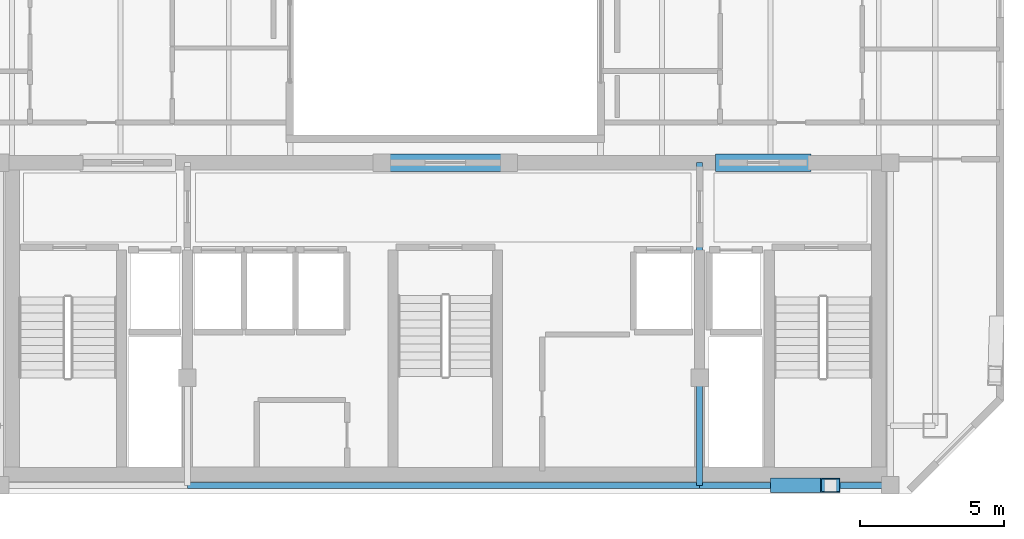
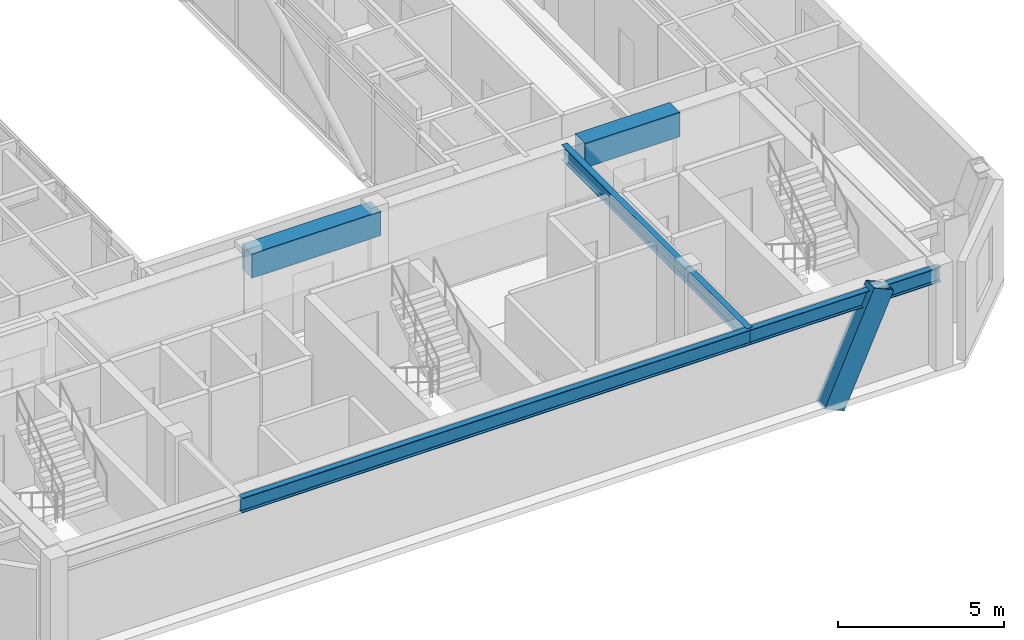
# One storey, part 3 of 18: 6 beams, 1 member.
"""IFC4 building model written with IfcOpenShell, lengths in metres."""

from ifc_helpers import new_model, si_unit, direction, frame, origin, origin_2d, place, context, subcontext, project, spatial, rectangle, hollow_rectangle, i_section, extrude, material, material_profile, profile_set, type_object, element, save


model = new_model("IFC4")

# Units and contexts
model_context = context("Model", 3, precision=1e-05, world=origin(), true_north=direction((0.0, 1.0)))
body_context = subcontext(model_context, "Body", "Model", "MODEL_VIEW")
ifc_project = project(units=[si_unit("LENGTHUNIT", "METRE"), si_unit("AREAUNIT", "SQUARE_METRE"), si_unit("VOLUMEUNIT", "CUBIC_METRE"), si_unit("PLANEANGLEUNIT", "RADIAN"), si_unit("MASSUNIT", "GRAM", prefix="KILO")], contexts=[model_context])

# Site, building, storey
site_placement = place(None, origin())
site = spatial("IfcSite", under=ifc_project, at=site_placement, CompositionType="ELEMENT")
building_placement = place(site_placement, origin())
building = spatial("IfcBuilding", under=site, at=building_placement, Name="Ventersveld Concourse Tower", CompositionType="ELEMENT")
storey_placement = place(building_placement, frame((0.0, 0.0, 341.35009765625)))
storey = spatial("IfcBuildingStorey", under=building, at=storey_placement, Name="L84", CompositionType="ELEMENT", Elevation=341.35009765625)

# Beams
ifc_material_1 = material(Name="Concrete C50/60", Category="concrete")
ifc_material_profile_1 = material_profile(ifc_material_1, rectangle(XDim=0.60009765625, YDim=0.89990234375, at=origin_2d()), Name="RC 600x900")
ifc_profile_set_1 = profile_set([ifc_material_profile_1], Name="Concrete C50/60")
beam_type_1 = type_object("IfcBeamType", Name="CB-RC600x900U", PredefinedType="LINTEL", material=ifc_profile_set_1)
beam_1_placement = place(storey_placement, frame((26.5, 11.449951171875, 3.179931640625), z_axis=(1.0, 0.0, 0.0), x_axis=(0.0, 1.0, 0.0)))
element("IfcBeam", 1, at=beam_1_placement, inside=storey, type_object=beam_type_1, Name="L84 Core Coupling Lintel Beam 2", PredefinedType="LINTEL", context=body_context, shape_type="SweptSolid", body=[
    extrude(rectangle(XDim=0.60009765625, YDim=0.89990234375, at=origin_2d()), origin(), (0.0, 0.0, 1.0), 4.5),
])
beam_2_placement = place(storey_placement, frame((38.10009765625, 11.449951171875, 3.179931640625), z_axis=(1.0, 0.0, 0.0), x_axis=(0.0, 1.0, 0.0)))
element("IfcBeam", 2, at=beam_2_placement, inside=storey, type_object=beam_type_1, Name="L84 Core Coupling Lintel Beam 3", PredefinedType="LINTEL", context=body_context, shape_type="SweptSolid", body=[
    extrude(rectangle(XDim=0.60009765625, YDim=0.89990234375, at=origin_2d()), origin(), (0.0, 0.0, 1.0), 3.2998046875),
])
ifc_material_2 = material(Name="Structural steel S355J2", Category="steel")
ifc_material_profile_2 = material_profile(ifc_material_2, i_section(OverallWidth=0.2119140625, OverallDepth=0.54443359375, WebThickness=0.0126953125, FlangeThickness=0.021240234375, FilletRadius=0.0126953125, at=origin_2d()), Name="UB 533x210x122")
ifc_profile_set_2 = profile_set([ifc_material_profile_2], Name="Structural steel S355J2")
beam_type_2 = type_object("IfcBeamType", Name="GRD-UB533H", PredefinedType="T_BEAM", material=ifc_profile_set_2)
beam_3_placement = place(storey_placement, frame((19.820068359375, 0.280029296875, 3.357666015625), z_axis=(1.0, 0.0, 0.0), x_axis=(0.0, 1.0, 0.0)))
element("IfcBeam", 3, at=beam_3_placement, inside=storey, type_object=beam_type_2, Name="L84 Core South Tie Beam C", PredefinedType="T_BEAM", context=body_context, shape_type="SweptSolid", body=[
    extrude(i_section(OverallWidth=0.2119140625, OverallDepth=0.54443359375, WebThickness=0.0126953125, FlangeThickness=0.021240234375, FilletRadius=0.0126953125, at=origin_2d()), origin(), (0.0, 0.0, 1.0), 17.72998046875),
])
beam_4_placement = place(storey_placement, frame((37.550048828125, 0.280029296875, 3.357666015625), z_axis=(1.0, 0.0, 0.0), x_axis=(0.0, 1.0, 0.0)))
element("IfcBeam", 4, at=beam_4_placement, inside=storey, type_object=beam_type_2, Name="L84 Core South Tie Beam E", PredefinedType="T_BEAM", context=body_context, shape_type="SweptSolid", body=[
    extrude(i_section(OverallWidth=0.2119140625, OverallDepth=0.54443359375, WebThickness=0.0126953125, FlangeThickness=0.021240234375, FilletRadius=0.0126953125, at=origin_2d()), origin(), (0.0, 0.0, 1.0), 6.599853515625),
])
beam_5_placement = place(storey_placement, frame((37.550048828125, 0.280029296875, 3.357666015625), z_axis=(0.0, 1.0, 0.0), x_axis=(-1.0, 0.0, 0.0)))
element("IfcBeam", 5, at=beam_5_placement, inside=storey, type_object=beam_type_2, Name="L84 Core Spine N-S Tie Beam E1", PredefinedType="T_BEAM", context=body_context, shape_type="SweptSolid", body=[
    extrude(i_section(OverallWidth=0.2119140625, OverallDepth=0.54443359375, WebThickness=0.0126953125, FlangeThickness=0.021240234375, FilletRadius=0.0126953125, at=origin_2d()), origin(), (0.0, 0.0, 1.0), 3.719970703125),
])
beam_6_placement = place(storey_placement, frame((37.550048828125, 4.0, 3.357666015625), z_axis=(0.0, 1.0, 0.0), x_axis=(-1.0, 0.0, 0.0)))
element("IfcBeam", 6, at=beam_6_placement, inside=storey, type_object=beam_type_2, Name="L84 Core Spine N-S Tie Beam E2", PredefinedType="T_BEAM", context=body_context, shape_type="SweptSolid", body=[
    extrude(i_section(OverallWidth=0.2119140625, OverallDepth=0.54443359375, WebThickness=0.0126953125, FlangeThickness=0.021240234375, FilletRadius=0.0126953125, at=origin_2d()), origin(), (0.0, 0.0, 1.0), 7.449951171875),
])

# Member
ifc_material_3 = material(Name="Structural steel S355ML", Category="steel")
ifc_material_profile_3 = material_profile(ifc_material_3, hollow_rectangle(XDim=0.5, YDim=0.75, WallThickness=0.034912109375, at=origin_2d()), Name="BOX 750x500x35")
ifc_profile_set_3 = profile_set([ifc_material_profile_3], Name="Structural steel S355ML")
member_type = type_object("IfcMemberType", Name="MB-750x500", PredefinedType="BRACE", material=ifc_profile_set_3)
member_placement = place(storey_placement, frame((40.352294921875, 0.280029296875, -0.22021484375), z_axis=(0.408655381152, 0.0, 0.912688763739), x_axis=(0.0, 1.0, 0.0)))
element("IfcMember", 7, at=member_placement, inside=storey, type_object=member_type, Name="L84 Exterior Mega-Brace S (Module M20)", PredefinedType="BRACE", context=body_context, shape_type="SweptSolid", body=[
    extrude(hollow_rectangle(XDim=0.5, YDim=0.75, WallThickness=0.034912109375, at=origin_2d()), origin(), (0.0, 0.0, 1.0), 4.218505859375),
])

save(model, "model.ifc")
